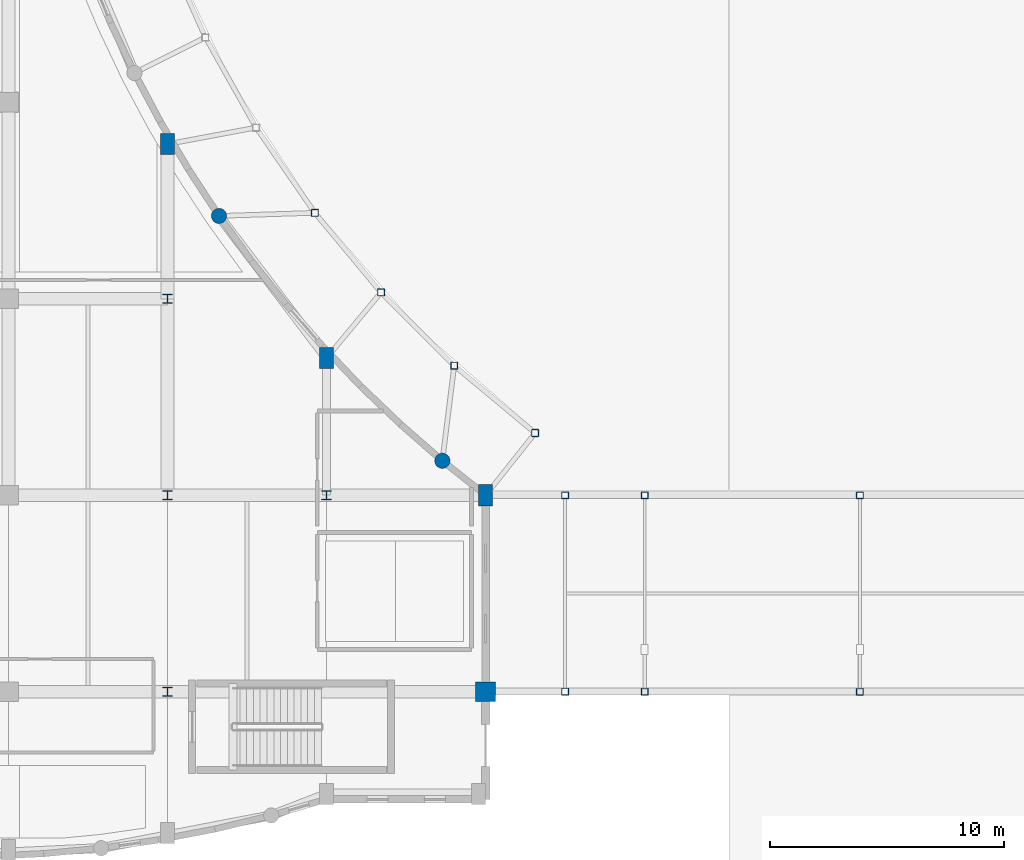
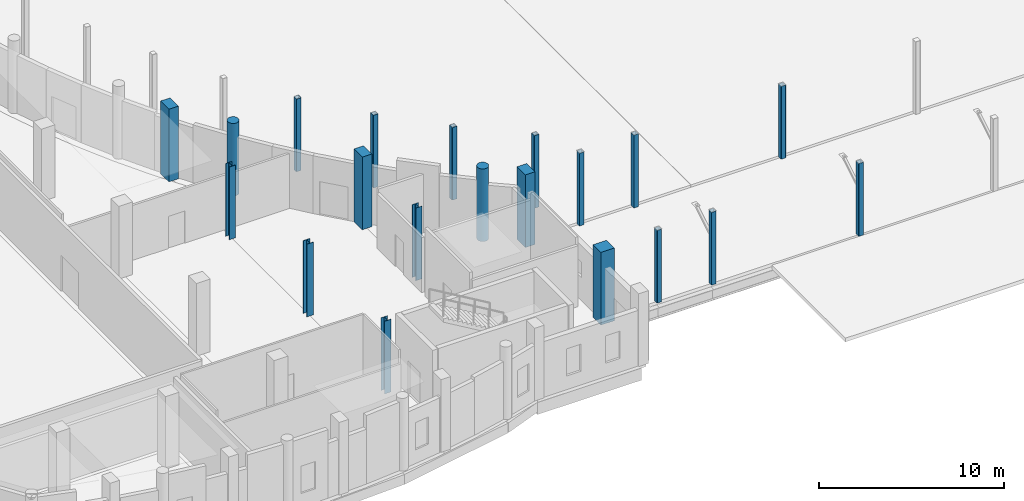
# One storey, part 2 of 97: 20 columns.
"""IFC4 building model written with IfcOpenShell, lengths in metres."""

from ifc_helpers import new_model, si_unit, direction, frame, origin, origin_2d, place, context, subcontext, project, spatial, rectangle, hollow_rectangle, circle, i_section, extrude, material, material_profile, profile_set, type_object, element, save


model = new_model("IFC4")

# Units and contexts
model_context = context("Model", 3, precision=1e-05, world=origin(), true_north=direction((0.0, 1.0)))
body_context = subcontext(model_context, "Body", "Model", "MODEL_VIEW")
ifc_project = project(units=[si_unit("LENGTHUNIT", "METRE"), si_unit("AREAUNIT", "SQUARE_METRE"), si_unit("VOLUMEUNIT", "CUBIC_METRE"), si_unit("PLANEANGLEUNIT", "RADIAN"), si_unit("MASSUNIT", "GRAM", prefix="KILO")], contexts=[model_context])

# Site, building, storey
site_placement = place(None, origin())
site = spatial("IfcSite", under=ifc_project, at=site_placement, CompositionType="ELEMENT")
building_placement = place(site_placement, origin())
building = spatial("IfcBuilding", under=site, at=building_placement, Name="Kisaragi Civic Commons", CompositionType="ELEMENT")
storey_placement = place(building_placement, origin())
storey = spatial("IfcBuildingStorey", under=building, at=storey_placement, Name="L00", CompositionType="ELEMENT", Elevation=0.0)

# Columns
ifc_material_1 = material(Name="Concrete Fc36", Category="concrete")
ifc_material_profile_1 = material_profile(ifc_material_1, rectangle(XDim=0.85009765625, YDim=0.85009765625, at=origin_2d()), Name="RC-850x850", Category="concrete")
ifc_profile_set_1 = profile_set([ifc_material_profile_1], Name="Concrete Fc36")
column_type_1 = type_object("IfcColumnType", Name="C-05", PredefinedType="COLUMN", material=ifc_profile_set_1)
column_placement = place(storey_placement, frame((47.60009765625, 8.39990234375, 0.0), z_axis=(0.0, 0.0, 1.0), x_axis=(1.0, 0.0, 0.0)))
element("IfcColumn", 1, at=column_placement, inside=storey, type_object=column_type_1, Name="L00 column C-05 (47.6,8.4)", PredefinedType="COLUMN", context=body_context, shape_type="SweptSolid", body=[
    extrude(rectangle(XDim=0.85009765625, YDim=0.85009765625, at=origin_2d()), origin(), (0.0, 0.0, 1.0), 4.800048828125),
])
ifc_material_profile_2 = material_profile(ifc_material_1, rectangle(XDim=0.60009765625, YDim=0.89990234375, at=origin_2d()), Name="RC-600x900", Category="concrete")
ifc_profile_set_2 = profile_set([ifc_material_profile_2], Name="Concrete Fc36")
column_type_2 = type_object("IfcColumnType", Name="C-09", PredefinedType="COLUMN", material=ifc_profile_set_2)
for number, where, z_axis, x_axis, name in (
    (2, (34.0, 31.811279296875, 0.0), (0.0, 0.0, 1.0), (1.0, 0.0, 0.0), "L00 column C-09 (34.0,31.8)"),
    (3, (40.800048828125, 22.66796875, 0.0), (0.0, 0.0, 1.0), (1.0, 0.0, 0.0), "L00 column C-09 (40.8,22.7)"),
    (4, (47.60009765625, 16.800048828125, 0.0), (0.0, 0.0, 1.0), (1.0, 0.0, 0.0), "L00 column C-09 (47.6,16.8)"),
):
    element("IfcColumn", number, at=place(storey_placement, frame(where, z_axis=z_axis, x_axis=x_axis)), inside=storey, type_object=column_type_2, Name=name, PredefinedType="COLUMN", context=body_context, shape_type="SweptSolid", body=[
        extrude(rectangle(XDim=0.60009765625, YDim=0.89990234375, at=origin_2d()), origin(), (0.0, 0.0, 1.0), 4.800048828125),
    ])
ifc_material_2 = material(Name="Concrete Fc30", Category="concrete")
ifc_material_profile_3 = material_profile(ifc_material_2, circle(Radius=0.324951171875, at=origin_2d()), Name="RC-D650", Category="concrete")
ifc_profile_set_3 = profile_set([ifc_material_profile_3], Name="Concrete Fc30")
column_type_3 = type_object("IfcColumnType", Name="C-12", PredefinedType="COLUMN", material=ifc_profile_set_3)
for number, where, z_axis, x_axis, name in (
    (5, (36.19873046875, 28.740966796875, 0.0), (0.0, 0.0, 1.0), (1.0, 0.0, 0.0), "L00 column C-12 (36.2,28.7)"),
    (6, (45.746337890625, 18.274169921875, 0.0), (0.0, 0.0, 1.0), (1.0, 0.0, 0.0), "L00 column C-12 (45.7,18.3)"),
):
    element("IfcColumn", number, at=place(storey_placement, frame(where, z_axis=z_axis, x_axis=x_axis)), inside=storey, type_object=column_type_3, Name=name, PredefinedType="COLUMN", context=body_context, shape_type="SweptSolid", body=[
        extrude(circle(Radius=0.324951171875, at=origin_2d()), origin(), (0.0, 0.0, 1.0), 4.800048828125),
    ])
ifc_material_3 = material(Name="Steel BCR295", Category="steel")
ifc_material_profile_4 = material_profile(ifc_material_3, hollow_rectangle(XDim=0.300048828125, YDim=0.300048828125, WallThickness=0.011962890625, InnerFilletRadius=0.011962890625, OuterFilletRadius=0.02392578125, at=origin_2d()), Name="BCR-300x300x12", Category="steel")
ifc_profile_set_4 = profile_set([ifc_material_profile_4], Name="Steel BCR295")
column_type_4 = type_object("IfcColumnType", Name="C-14", PredefinedType="COLUMN", material=ifc_profile_set_4)
for number, where, z_axis, x_axis, name in (
    (7, (51.0, 8.39990234375, 0.0), (0.0, 0.0, 1.0), (1.0, 0.0, 0.0), "L00 column C-14 (51.0,8.4)"),
    (8, (51.0, 16.800048828125, 0.0), (0.0, 0.0, 1.0), (1.0, 0.0, 0.0), "L00 column C-14 (51.0,16.8)"),
    (9, (54.39990234375, 8.39990234375, 0.0), (0.0, 0.0, 1.0), (1.0, 0.0, 0.0), "L00 column C-14 (54.4,8.4)"),
    (10, (54.39990234375, 16.800048828125, 0.0), (0.0, 0.0, 1.0), (1.0, 0.0, 0.0), "L00 column C-14 (54.4,16.8)"),
    (11, (63.60009765625, 8.39990234375, 0.0), (0.0, 0.0, 1.0), (1.0, 0.0, 0.0), "L00 column C-14 (63.6,8.4)"),
    (12, (63.60009765625, 16.800048828125, 0.0), (0.0, 0.0, 1.0), (1.0, 0.0, 0.0), "L00 column C-14 (63.6,16.8)"),
):
    element("IfcColumn", number, at=place(storey_placement, frame(where, z_axis=z_axis, x_axis=x_axis)), inside=storey, type_object=column_type_4, Name=name, PredefinedType="COLUMN", context=body_context, shape_type="SweptSolid", body=[
        extrude(hollow_rectangle(XDim=0.300048828125, YDim=0.300048828125, WallThickness=0.011962890625, InnerFilletRadius=0.011962890625, OuterFilletRadius=0.02392578125, at=origin_2d()), origin(), (0.0, 0.0, 1.0), 4.800048828125),
    ])
ifc_material_profile_5 = material_profile(ifc_material_3, hollow_rectangle(XDim=0.300048828125, YDim=0.300048828125, WallThickness=0.012939453125, InnerFilletRadius=0.012939453125, OuterFilletRadius=0.02587890625, at=origin_2d()), Name="BCR-300x300x13", Category="steel")
ifc_profile_set_5 = profile_set([ifc_material_profile_5], Name="Steel BCR295")
column_type_5 = type_object("IfcColumnType", Name="C-15", PredefinedType="COLUMN", material=ifc_profile_set_5)
for number, where, z_axis, x_axis, name in (
    (13, (40.295654296875, 28.87451171875, 0.0), (0.0, 0.0, 1.0), (1.0, 0.0, 0.0), "L00 column C-15 (40.3,28.9)"),
    (14, (43.12646484375, 25.47216796875, 0.0), (0.0, 0.0, 1.0), (1.0, 0.0, 0.0), "L00 column C-15 (43.1,25.5)"),
    (15, (46.2548828125, 22.341552734375, 0.0), (0.0, 0.0, 1.0), (1.0, 0.0, 0.0), "L00 column C-15 (46.3,22.3)"),
    (16, (49.71630859375, 19.4609375, 0.0), (0.0, 0.0, 1.0), (1.0, 0.0, 0.0), "L00 column C-15 (49.7,19.5)"),
):
    element("IfcColumn", number, at=place(storey_placement, frame(where, z_axis=z_axis, x_axis=x_axis)), inside=storey, type_object=column_type_5, Name=name, PredefinedType="COLUMN", context=body_context, shape_type="SweptSolid", body=[
        extrude(hollow_rectangle(XDim=0.300048828125, YDim=0.300048828125, WallThickness=0.012939453125, InnerFilletRadius=0.012939453125, OuterFilletRadius=0.02587890625, at=origin_2d()), origin(), (0.0, 0.0, 1.0), 4.800048828125),
    ])
ifc_material_4 = material(Name="Steel SN490 (SN490B)", Category="steel")
ifc_material_profile_6 = material_profile(ifc_material_4, i_section(OverallWidth=0.39990234375, OverallDepth=0.39990234375, WebThickness=0.012939453125, FlangeThickness=0.02099609375, FilletRadius=0.02197265625, at=origin_2d()), Name="H-400x400x13x21", Category="steel")
ifc_profile_set_6 = profile_set([ifc_material_profile_6], Name="Steel SN490 (SN490B)")
column_type_6 = type_object("IfcColumnType", Name="C-16", PredefinedType="COLUMN", material=ifc_profile_set_6)
for number, where, z_axis, x_axis, name in (
    (17, (34.0, 8.39990234375, 0.0), (0.0, 0.0, 1.0), (1.0, 0.0, 0.0), "L00 column C-16 (34.0,8.4)"),
    (18, (34.0, 16.800048828125, 0.0), (0.0, 0.0, 1.0), (1.0, 0.0, 0.0), "L00 column C-16 (34.0,16.8)"),
    (19, (34.0, 25.199951171875, 0.0), (0.0, 0.0, 1.0), (1.0, 0.0, 0.0), "L00 column C-16 (34.0,25.2)"),
    (20, (40.800048828125, 16.800048828125, 0.0), (0.0, 0.0, 1.0), (1.0, 0.0, 0.0), "L00 column C-16 (40.8,16.8)"),
):
    element("IfcColumn", number, at=place(storey_placement, frame(where, z_axis=z_axis, x_axis=x_axis)), inside=storey, type_object=column_type_6, Name=name, PredefinedType="COLUMN", context=body_context, shape_type="SweptSolid", body=[
        extrude(i_section(OverallWidth=0.39990234375, OverallDepth=0.39990234375, WebThickness=0.012939453125, FlangeThickness=0.02099609375, FilletRadius=0.02197265625, at=origin_2d()), origin(), (0.0, 0.0, 1.0), 4.800048828125),
    ])

save(model, "model.ifc")
